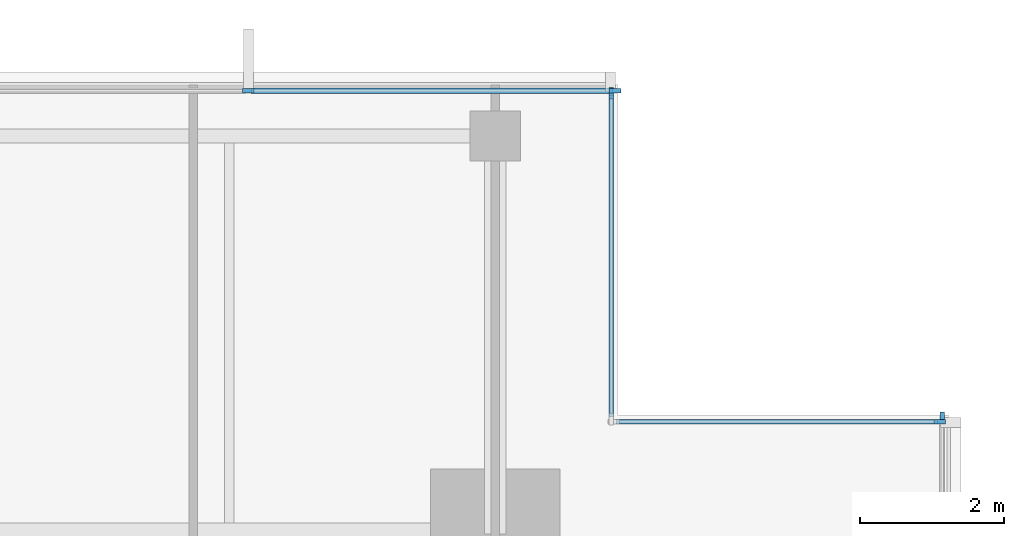
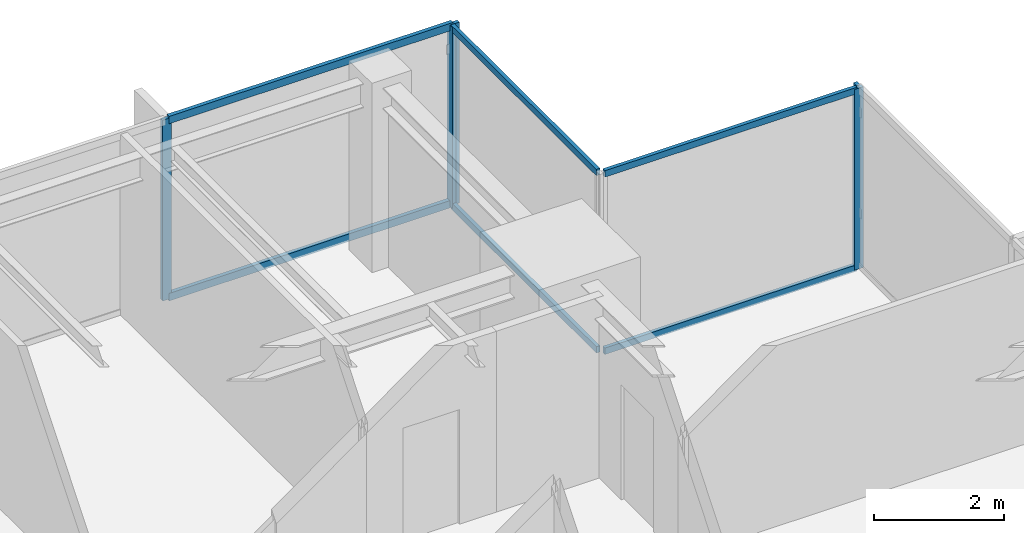
# One storey, part 6 of 14: 11 members, 4 elements without a shape of their own.
"""IFC4 building model written with IfcOpenShell, lengths in metres."""

from ifc_helpers import new_model, si_unit, direction, frame, origin, origin_2d, place, context, subcontext, project, spatial, rectangle, extrude, material, layer, layer_set, material_profile, profile_set, type_object, element, aggregate, save


model = new_model("IFC4")

# Units and contexts
model_context = context("Model", 3, precision=1e-05, world=origin(), true_north=direction((0.0, 1.0)))
body_context = subcontext(model_context, "Body", "Model", "MODEL_VIEW")
ifc_project = project(units=[si_unit("LENGTHUNIT", "METRE"), si_unit("AREAUNIT", "SQUARE_METRE"), si_unit("VOLUMEUNIT", "CUBIC_METRE"), si_unit("PLANEANGLEUNIT", "RADIAN"), si_unit("MASSUNIT", "GRAM", prefix="KILO")], contexts=[model_context])

# Site, building, storey
site_placement = place(None, origin())
site = spatial("IfcSite", under=ifc_project, at=site_placement, CompositionType="ELEMENT")
building_placement = place(site_placement, origin())
building = spatial("IfcBuilding", under=site, at=building_placement, Name="Kinhvarn Gate Tower", CompositionType="ELEMENT")
storey_placement = place(building_placement, frame((0.0, 0.0, 281.199951171875)))
storey = spatial("IfcBuildingStorey", under=building, at=storey_placement, Name="L75", CompositionType="ELEMENT", Elevation=281.199951171875)

# Curtain wall, members
ifc_material = material(Name="Anodised aluminium AW-6063", Category="aluminium")
ifc_layer_1 = layer(ifc_material, 0.179931640625)
ifc_layer_set_1 = layer_set([ifc_layer_1], Name="Anodised aluminium AW-6063")
curtain_wall_type_1 = type_object("IfcCurtainWallType", Name="CW-SYS-3", PredefinedType="NOTDEFINED", material=ifc_layer_set_1)
curtain_wall_1_placement = place(storey_placement, origin())
curtain_wall_1 = element("IfcCurtainWall", 1, at=curtain_wall_1_placement, inside=storey, type_object=curtain_wall_type_1, Name="Curtain Wall CW3 (L75)", PredefinedType="NOTDEFINED")
ifc_material_profile_1 = material_profile(ifc_material, rectangle(XDim=0.06494140625, YDim=0.159912109375, at=origin_2d()), Name="ALU 65x160")
ifc_profile_set_1 = profile_set([ifc_material_profile_1], Name="Anodised aluminium AW-6063")
member_type_1 = type_object("IfcMemberType", Name="CW-MUL-160", PredefinedType="MULLION", material=ifc_profile_set_1)
member_1_placement = place(storey_placement, frame((39.867431640625, 43.909912109375, 0.0), z_axis=(0.0, 0.0, 1.0), x_axis=(0.0, -1.0, 0.0)))
member_1 = element("IfcMember", 2, at=member_1_placement, type_object=member_type_1, Name="CW3 mullion 1", PredefinedType="MULLION", context=body_context, shape_type="SweptSolid", body=[
    extrude(rectangle(XDim=0.06494140625, YDim=0.159912109375, at=origin_2d()), origin(), (0.0, 0.0, 1.0), 3.39013671875),
])
member_2_placement = place(storey_placement, frame((34.7666015625, 43.909912109375, 0.0), z_axis=(0.0, 0.0, 1.0), x_axis=(0.0, -1.0, 0.0)))
member_2 = element("IfcMember", 3, at=member_2_placement, type_object=member_type_1, Name="CW3 mullion 2", PredefinedType="MULLION", context=body_context, shape_type="SweptSolid", body=[
    extrude(rectangle(XDim=0.06494140625, YDim=0.159912109375, at=origin_2d()), origin(), (0.0, 0.0, 1.0), 3.39013671875),
])

# Curtain wall, member
curtain_wall_2_placement = place(storey_placement, origin())
curtain_wall_2 = element("IfcCurtainWall", 4, at=curtain_wall_2_placement, inside=storey, type_object=curtain_wall_type_1, Name="Curtain Wall CW3 (L75)", PredefinedType="NOTDEFINED")
member_3_placement = place(storey_placement, frame((44.409912109375, 39.367431640625, 0.0), z_axis=(0.0, 0.0, 1.0), x_axis=(-1.0, 0.0, 0.0)))
member_3 = element("IfcMember", 5, at=member_3_placement, type_object=member_type_1, Name="CW3 mullion 7", PredefinedType="MULLION", context=body_context, shape_type="SweptSolid", body=[
    extrude(rectangle(XDim=0.06494140625, YDim=0.159912109375, at=origin_2d()), origin(), (0.0, 0.0, 1.0), 3.39013671875),
])
aggregate(curtain_wall_2, [member_3])

ifc_layer_2 = layer(ifc_material, 0.179931640625)
ifc_layer_set_2 = layer_set([ifc_layer_2], Name="Anodised aluminium AW-6063")
curtain_wall_type_2 = type_object("IfcCurtainWallType", Name="CW-SYS-4", PredefinedType="NOTDEFINED", material=ifc_layer_set_2)
curtain_wall_3_placement = place(storey_placement, origin())
curtain_wall_3 = element("IfcCurtainWall", 6, at=curtain_wall_3_placement, inside=storey, type_object=curtain_wall_type_2, Name="Curtain Wall CW4 (L75)", PredefinedType="NOTDEFINED")
member_4_placement = place(storey_placement, frame((44.37744140625, 39.31005859375, 0.0), z_axis=(0.0, 0.0, 1.0), x_axis=(0.0, -1.0, 0.0)))
member_4 = element("IfcMember", 7, at=member_4_placement, type_object=member_type_1, Name="CW4 mullion 1", PredefinedType="MULLION", context=body_context, shape_type="SweptSolid", body=[
    extrude(rectangle(XDim=0.06494140625, YDim=0.159912109375, at=origin_2d()), origin(), (0.0, 0.0, 1.0), 3.39013671875),
])

curtain_wall_4_placement = place(storey_placement, origin())
curtain_wall_4 = element("IfcCurtainWall", 8, at=curtain_wall_4_placement, inside=storey, type_object=curtain_wall_type_2, Name="Curtain Wall CW4 (L75)", PredefinedType="NOTDEFINED")
member_5_placement = place(storey_placement, frame((39.81005859375, 43.87744140625, 0.0), z_axis=(0.0, 0.0, 1.0), x_axis=(-1.0, 0.0, 0.0)))
member_5 = element("IfcMember", 9, at=member_5_placement, type_object=member_type_1, Name="CW4 mullion 2", PredefinedType="MULLION", context=body_context, shape_type="SweptSolid", body=[
    extrude(rectangle(XDim=0.06494140625, YDim=0.159912109375, at=origin_2d()), origin(), (0.0, 0.0, 1.0), 3.39013671875),
])

# Member
ifc_material_profile_2 = material_profile(ifc_material, rectangle(XDim=0.06494140625, YDim=0.1201171875, at=origin_2d()), Name="ALU 65x120")
ifc_profile_set_2 = profile_set([ifc_material_profile_2], Name="Anodised aluminium AW-6063")
member_type_2 = type_object("IfcMemberType", Name="CW-TRN-120", PredefinedType="USERDEFINED", material=ifc_profile_set_2)
member_6_placement = place(storey_placement, frame((44.344970703125, 39.31005859375, 0.032470703125), z_axis=(-1.0, 0.0, 0.0), x_axis=(0.0, -1.0, 0.0)))
member_6 = element("IfcMember", 10, at=member_6_placement, type_object=member_type_2, Name="CW4 transom 1.1", ObjectType="TRANSOM", PredefinedType="USERDEFINED", context=body_context, shape_type="SweptSolid", body=[
    extrude(rectangle(XDim=0.06494140625, YDim=0.1201171875, at=origin_2d()), origin(), (0.0, 0.0, 1.0), 4.469970703125),
])

member_7_placement = place(storey_placement, frame((44.344970703125, 39.31005859375, 3.357666015625), z_axis=(-1.0, 0.0, 0.0), x_axis=(0.0, -1.0, 0.0)))
member_7 = element("IfcMember", 11, at=member_7_placement, type_object=member_type_2, Name="CW4 transom 1.2", ObjectType="TRANSOM", PredefinedType="USERDEFINED", context=body_context, shape_type="SweptSolid", body=[
    extrude(rectangle(XDim=0.06494140625, YDim=0.1201171875, at=origin_2d()), origin(), (0.0, 0.0, 1.0), 4.469970703125),
])

aggregate(curtain_wall_3, [member_4, member_6, member_7])

member_8_placement = place(storey_placement, frame((39.81005859375, 39.375, 0.032470703125), z_axis=(0.0, 1.0, 0.0), x_axis=(-1.0, 0.0, 0.0)))
member_8 = element("IfcMember", 12, at=member_8_placement, type_object=member_type_2, Name="CW4 transom 1.1", ObjectType="TRANSOM", PredefinedType="USERDEFINED", context=body_context, shape_type="SweptSolid", body=[
    extrude(rectangle(XDim=0.06494140625, YDim=0.1201171875, at=origin_2d()), origin(), (0.0, 0.0, 1.0), 4.469970703125),
])

member_9_placement = place(storey_placement, frame((39.81005859375, 39.375, 3.357666015625), z_axis=(0.0, 1.0, 0.0), x_axis=(-1.0, 0.0, 0.0)))
member_9 = element("IfcMember", 13, at=member_9_placement, type_object=member_type_2, Name="CW4 transom 1.2", ObjectType="TRANSOM", PredefinedType="USERDEFINED", context=body_context, shape_type="SweptSolid", body=[
    extrude(rectangle(XDim=0.06494140625, YDim=0.1201171875, at=origin_2d()), origin(), (0.0, 0.0, 1.0), 4.469970703125),
])

aggregate(curtain_wall_4, [member_5, member_8, member_9])

ifc_material_profile_3 = material_profile(ifc_material, rectangle(XDim=0.070068359375, YDim=0.139892578125, at=origin_2d()), Name="ALU 70x140")
ifc_profile_set_3 = profile_set([ifc_material_profile_3], Name="Anodised aluminium AW-6063")
member_type_3 = type_object("IfcMemberType", Name="CW-TRN-140", PredefinedType="USERDEFINED", material=ifc_profile_set_3)
member_10_placement = place(storey_placement, frame((39.8349609375, 43.909912109375, 0.03515625), z_axis=(-1.0, 0.0, 0.0), x_axis=(0.0, -1.0, 0.0)))
member_10 = element("IfcMember", 14, at=member_10_placement, type_object=member_type_3, Name="CW3 transom 1.1", ObjectType="TRANSOM", PredefinedType="USERDEFINED", context=body_context, shape_type="SweptSolid", body=[
    extrude(rectangle(XDim=0.070068359375, YDim=0.139892578125, at=origin_2d()), origin(), (0.0, 0.0, 1.0), 5.035888671875),
])

member_11_placement = place(storey_placement, frame((39.8349609375, 43.909912109375, 3.35498046875), z_axis=(-1.0, 0.0, 0.0), x_axis=(0.0, -1.0, 0.0)))
member_11 = element("IfcMember", 15, at=member_11_placement, type_object=member_type_3, Name="CW3 transom 1.2", ObjectType="TRANSOM", PredefinedType="USERDEFINED", context=body_context, shape_type="SweptSolid", body=[
    extrude(rectangle(XDim=0.070068359375, YDim=0.139892578125, at=origin_2d()), origin(), (0.0, 0.0, 1.0), 5.035888671875),
])

aggregate(curtain_wall_1, [member_1, member_2, member_10, member_11])

save(model, "model.ifc")
